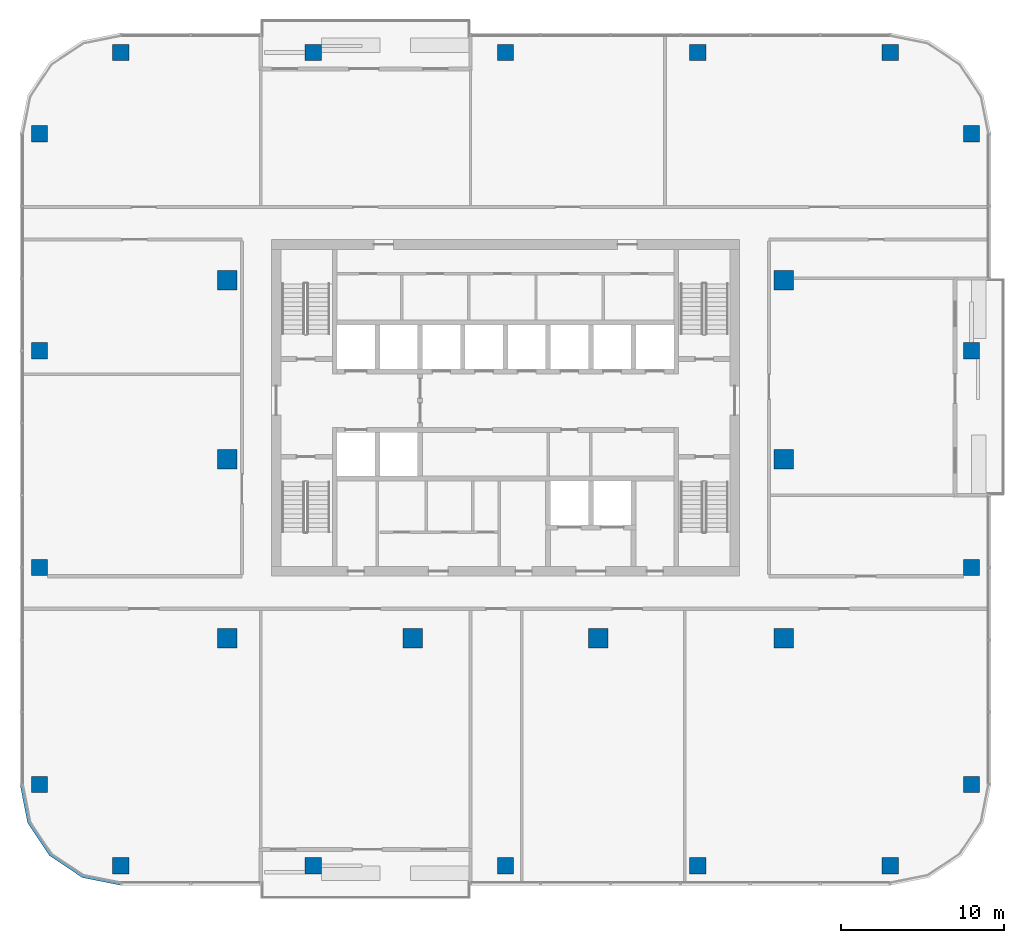
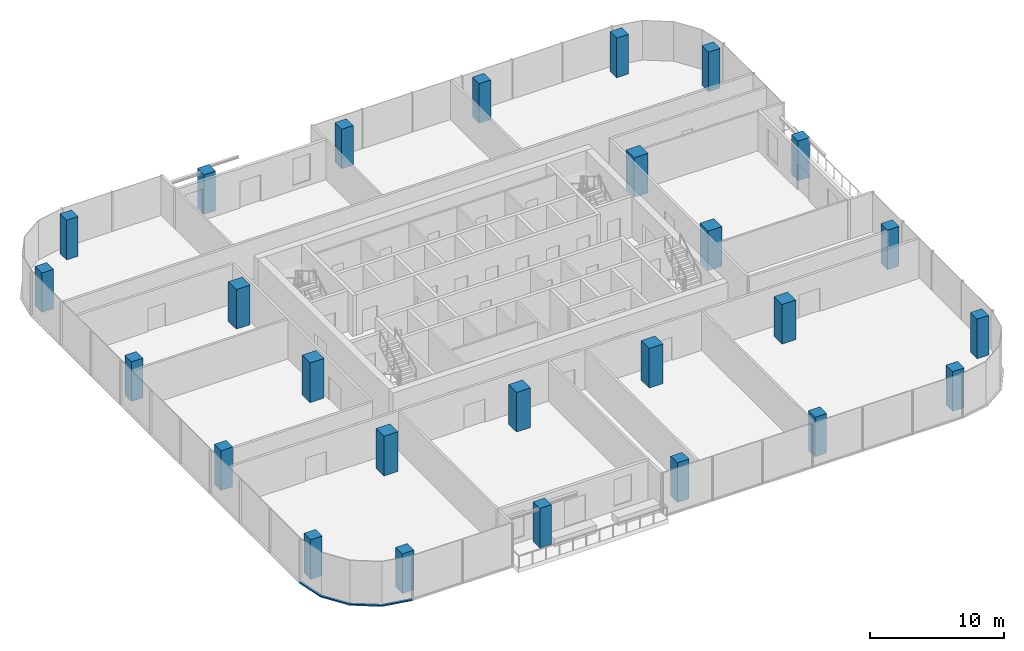
# One storey, part 1 of 13: 26 columns, 1 member, 1 element without a shape of its own.
"""IFC4 building model written with IfcOpenShell, lengths in metres."""

from ifc_helpers import new_model, si_unit, direction, frame, origin, origin_2d, place, context, subcontext, project, spatial, polyline, rectangle, outline, extrude, material, material_profile, profile_set, type_object, element, aggregate, save


model = new_model("IFC4")

# Units and contexts
model_context = context("Model", 3, precision=1e-05, world=origin(), true_north=direction((0.0, 1.0)))
body_context = subcontext(model_context, "Body", "Model", "MODEL_VIEW")
ifc_project = project(units=[si_unit("LENGTHUNIT", "METRE"), si_unit("AREAUNIT", "SQUARE_METRE"), si_unit("VOLUMEUNIT", "CUBIC_METRE"), si_unit("PLANEANGLEUNIT", "RADIAN"), si_unit("MASSUNIT", "GRAM", prefix="KILO")], contexts=[model_context])

# Site, building, storey
site_placement = place(None, origin())
site = spatial("IfcSite", under=ifc_project, at=site_placement, CompositionType="ELEMENT")
building_placement = place(site_placement, origin())
building = spatial("IfcBuilding", under=site, at=building_placement, Name="Mopane Tessera Tower", CompositionType="ELEMENT")
storey_placement = place(building_placement, frame((0.0, 0.0, 299.39990234375)))
storey = spatial("IfcBuildingStorey", under=building, at=storey_placement, Name="L65", CompositionType="ELEMENT", Elevation=299.39990234375)

# Columns
ifc_material_1 = material(Name="Concrete C40/50", Category="concrete")
ifc_material_profile_1 = material_profile(ifc_material_1, rectangle(XDim=1.199951171875, YDim=1.199951171875, at=origin_2d()))
ifc_profile_set_1 = profile_set([ifc_material_profile_1], Name="Concrete C40/50")
column_type_1 = type_object("IfcColumnType", Name="Interior column 1200 x 1200 C40/50", PredefinedType="COLUMN", material=ifc_profile_set_1)
for number, where, z_axis, x_axis, name in (
    (1, (-17.10009765625, -11.0, 0.0), (0.0, 0.0, 1.0), (1.0, 0.0, 0.0), "Interior column I1A L65"),
    (2, (-17.10009765625, 0.0, 0.0), (0.0, 0.0, 1.0), (1.0, 0.0, 0.0), "Interior column I1B L65"),
    (3, (-17.10009765625, 11.0, 0.0), (0.0, 0.0, 1.0), (1.0, 0.0, 0.0), "Interior column I1C L65"),
    (4, (-5.699951171875, -11.0, 0.0), (0.0, 0.0, 1.0), (1.0, 0.0, 0.0), "Interior column I2A L65"),
    (5, (5.699951171875, -11.0, 0.0), (0.0, 0.0, 1.0), (1.0, 0.0, 0.0), "Interior column I3A L65"),
    (6, (17.10009765625, -11.0, 0.0), (0.0, 0.0, 1.0), (1.0, 0.0, 0.0), "Interior column I4A L65"),
    (7, (17.10009765625, 0.0, 0.0), (0.0, 0.0, 1.0), (1.0, 0.0, 0.0), "Interior column I4B L65"),
    (8, (17.10009765625, 11.0, 0.0), (0.0, 0.0, 1.0), (1.0, 0.0, 0.0), "Interior column I4C L65"),
):
    element("IfcColumn", number, at=place(storey_placement, frame(where, z_axis=z_axis, x_axis=x_axis)), inside=storey, type_object=column_type_1, Name=name, PredefinedType="COLUMN", context=body_context, shape_type="SweptSolid", body=[
        extrude(rectangle(XDim=1.199951171875, YDim=1.199951171875, at=origin_2d()), origin(), (0.0, 0.0, 1.0), 3.60009765625),
    ])
ifc_material_2 = material(Name="Concrete C40/50", Category="concrete")
ifc_material_profile_2 = material_profile(ifc_material_2, rectangle(XDim=1.0, YDim=1.0, at=origin_2d()))
ifc_profile_set_2 = profile_set([ifc_material_profile_2], Name="Concrete C40/50")
column_type_2 = type_object("IfcColumnType", Name="Ring column 1000 x 1000 C40/50", PredefinedType="COLUMN", material=ifc_profile_set_2)
for number, where, z_axis, x_axis, name in (
    (9, (-23.64990234375, -25.0, 0.0), (0.0, 0.0, 1.0), (1.0, 0.0, 0.0), "Ring column S0 L65"),
    (10, (-11.824951171875, -25.0, 0.0), (0.0, 0.0, 1.0), (1.0, 0.0, 0.0), "Ring column S1 L65"),
    (11, (0.0, -25.0, 0.0), (0.0, 0.0, 1.0), (1.0, 0.0, 0.0), "Ring column S2 L65"),
    (12, (11.824951171875, -25.0, 0.0), (0.0, 0.0, 1.0), (1.0, 0.0, 0.0), "Ring column S3 L65"),
    (13, (23.64990234375, -25.0, 0.0), (0.0, 0.0, 1.0), (1.0, 0.0, 0.0), "Ring column S4 L65"),
    (14, (28.64990234375, -20.0, 0.0), (0.0, 0.0, 1.0), (1.0, 0.0, 0.0), "Ring column E0 L65"),
    (15, (28.64990234375, -6.666748046875, 0.0), (0.0, 0.0, 1.0), (1.0, 0.0, 0.0), "Ring column E1 L65"),
    (16, (28.64990234375, 6.666748046875, 0.0), (0.0, 0.0, 1.0), (1.0, 0.0, 0.0), "Ring column E2 L65"),
    (17, (28.64990234375, 20.0, 0.0), (0.0, 0.0, 1.0), (1.0, 0.0, 0.0), "Ring column E3 L65"),
    (18, (23.64990234375, 25.0, 0.0), (0.0, 0.0, 1.0), (1.0, 0.0, 0.0), "Ring column N0 L65"),
    (19, (11.824951171875, 25.0, 0.0), (0.0, 0.0, 1.0), (1.0, 0.0, 0.0), "Ring column N1 L65"),
    (20, (0.0, 25.0, 0.0), (0.0, 0.0, 1.0), (1.0, 0.0, 0.0), "Ring column N2 L65"),
    (21, (-11.824951171875, 25.0, 0.0), (0.0, 0.0, 1.0), (1.0, 0.0, 0.0), "Ring column N3 L65"),
    (22, (-23.64990234375, 25.0, 0.0), (0.0, 0.0, 1.0), (1.0, 0.0, 0.0), "Ring column N4 L65"),
    (23, (-28.64990234375, 20.0, 0.0), (0.0, 0.0, 1.0), (1.0, 0.0, 0.0), "Ring column W0 L65"),
    (24, (-28.64990234375, 6.666748046875, 0.0), (0.0, 0.0, 1.0), (1.0, 0.0, 0.0), "Ring column W1 L65"),
    (25, (-28.64990234375, -6.666748046875, 0.0), (0.0, 0.0, 1.0), (1.0, 0.0, 0.0), "Ring column W2 L65"),
    (26, (-28.64990234375, -20.0, 0.0), (0.0, 0.0, 1.0), (1.0, 0.0, 0.0), "Ring column W3 L65"),
):
    element("IfcColumn", number, at=place(storey_placement, frame(where, z_axis=z_axis, x_axis=x_axis)), inside=storey, type_object=column_type_2, Name=name, PredefinedType="COLUMN", context=body_context, shape_type="SweptSolid", body=[
        extrude(rectangle(XDim=1.0, YDim=1.0, at=origin_2d()), origin(), (0.0, 0.0, 1.0), 3.60009765625),
    ])

# Curtain wall, member
ifc_material_3 = material(Name="Aluminium frame", Category="aluminium")
curtain_wall_type = type_object("IfcCurtainWallType", Name="Unitised curtain wall", PredefinedType="NOTDEFINED", material=ifc_material_3)
curtain_wall_placement = place(storey_placement, origin())
curtain_wall = element("IfcCurtainWall", 27, at=curtain_wall_placement, inside=storey, type_object=curtain_wall_type, Name="e:cw:L65:CW", PredefinedType="NOTDEFINED")
ifc_material_4 = material(Name="Aluminium frame", Category="aluminium")
ifc_material_profile_3 = material_profile(ifc_material_4, rectangle(XDim=0.199951171875, YDim=0.1201171875, at=origin_2d()))
ifc_profile_set_3 = profile_set([ifc_material_profile_3], Name="Aluminium frame")
member_type = type_object("IfcMemberType", Name="Aluminium transom 200 x 120", PredefinedType="USERDEFINED", material=ifc_profile_set_3)
member_placement = place(storey_placement, frame((0.0, 0.0, -0.39990234375)))
member = element("IfcMember", 28, at=member_placement, type_object=member_type, Name="e:cw:L65:CW:tr", ObjectType="TRANSOM", PredefinedType="USERDEFINED", context=body_context, shape_type="SweptSolid", body=[
    extrude(outline(polyline([(-29.64990234375, -20.0), (-29.193359375, -22.296142578125), (-27.892578125, -24.24267578125), (-25.946044921875, -25.543212890625), (-23.64990234375, -26.0), (-23.64990234375, -26.199951171875), (-26.022705078125, -25.72802734375), (-28.0341796875, -24.384033203125), (-29.378173828125, -22.37255859375), (-29.85009765625, -20.0), (-29.64990234375, -20.0)])), origin(), (0.0, 0.0, 1.0), 0.1201171875),
])
aggregate(curtain_wall, [member])

save(model, "model.ifc")
